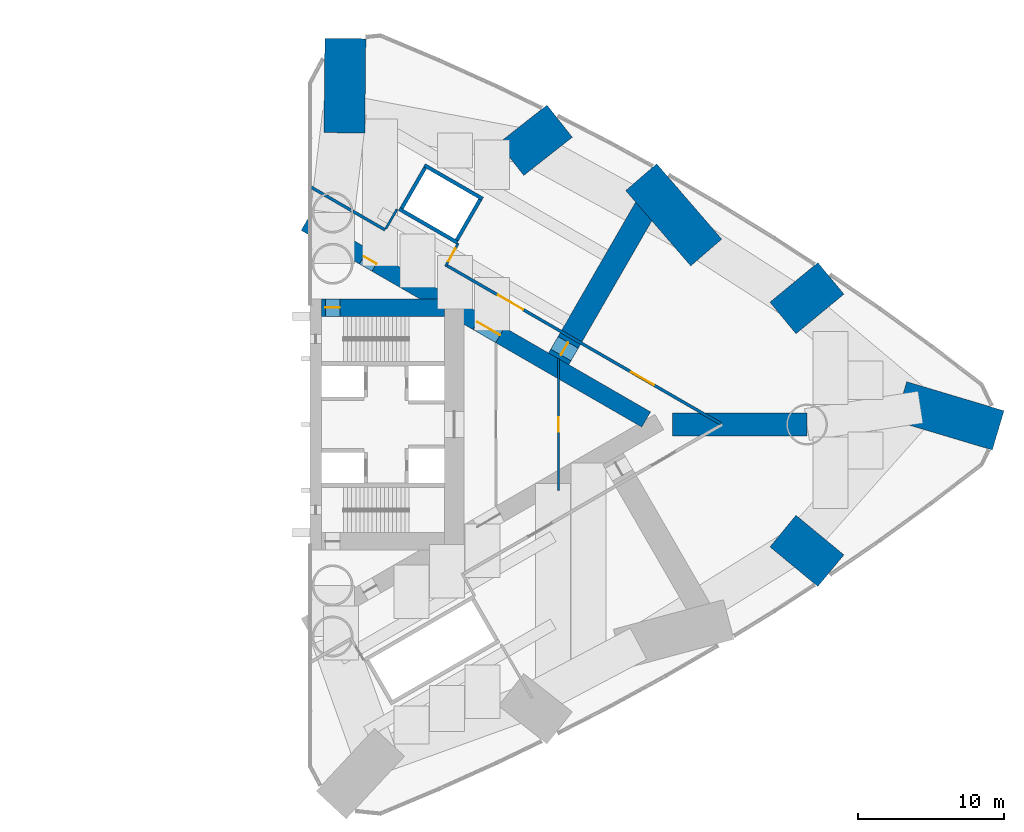
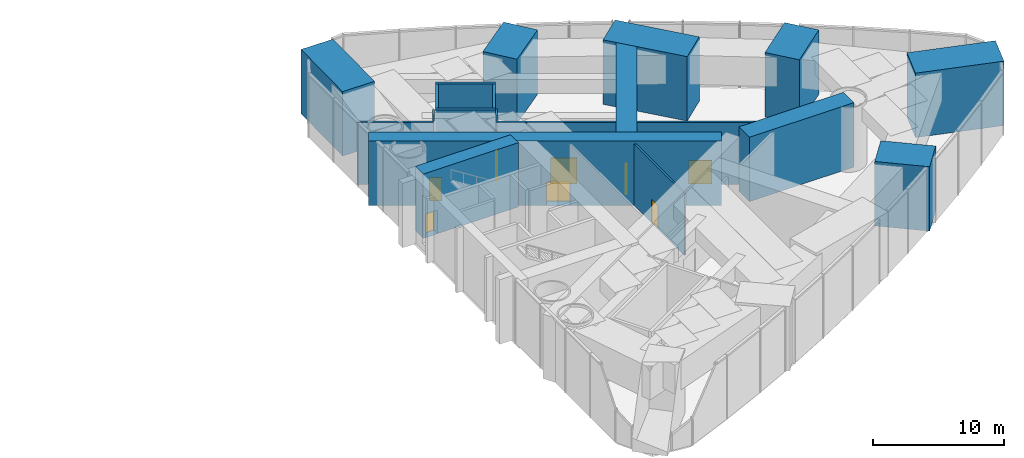
# One storey, part 16 of 18: 19 walls, 8 doors, 8 openings.
"""IFC4 building model written with IfcOpenShell, lengths in metres."""

from ifc_helpers import new_model, si_unit, direction, frame, frame_2d, origin, place, context, subcontext, project, spatial, rectangle, extrude, material, layer, layer_set, type_object, element, fill, save


model = new_model("IFC4")

# Units and contexts
model_context = context("Model", 3, precision=1e-05, world=origin(), true_north=direction((0.0, 1.0)))
body_context = subcontext(model_context, "Body", "Model", "MODEL_VIEW")
ifc_project = project(units=[si_unit("LENGTHUNIT", "METRE"), si_unit("AREAUNIT", "SQUARE_METRE"), si_unit("VOLUMEUNIT", "CUBIC_METRE"), si_unit("PLANEANGLEUNIT", "RADIAN"), si_unit("MASSUNIT", "GRAM", prefix="KILO")], contexts=[model_context])

# Site, building, storey
site_placement = place(None, origin())
site = spatial("IfcSite", under=ifc_project, at=site_placement, CompositionType="ELEMENT")
building_placement = place(site_placement, origin())
building = spatial("IfcBuilding", under=site, at=building_placement, Name="Lancet Gate Hotel", CompositionType="ELEMENT")
storey_placement = place(building_placement, frame((0.0, 0.0, 81.0)))
storey = spatial("IfcBuildingStorey", under=building, at=storey_placement, Name="L21", CompositionType="ELEMENT", Elevation=81.0)

# Wall, openings, doors
ifc_material_1 = material(Name="Concrete C70/85", Category="concrete")
ifc_layer_1 = layer(ifc_material_1, 1.199951171875)
ifc_layer_set_1 = layer_set([ifc_layer_1], Name="Buttress wall 1200")
wall_type_1 = type_object("IfcWallType", Name="Buttress wall 1200", PredefinedType="SHEAR", material=ifc_layer_set_1)
wall_1_placement = place(storey_placement, frame((27.199951171875, 13.800048828125, 0.0), z_axis=(0.0, 0.0, 1.0), x_axis=(0.866024515034, -0.500001539357, 0.0)))
wall_1 = element("IfcWall", 1, at=wall_1_placement, inside=storey, type_object=wall_type_1, Name="T2 buttress wall N L21", PredefinedType="SHEAR", context=body_context, shape_type="SweptSolid", body=[
    extrude(rectangle(XDim=26.9072265625, YDim=1.199951171875, at=frame_2d((13.45361328125, 0.0))), origin(), (0.0, 0.0, 1.0), 6.0),
])
opening_1_placement = place(wall_1_placement, frame((4.60009765625, 0.0, 0.0)))
opening_1 = element("IfcOpeningElement", 2, at=opening_1_placement, cuts=wall_1, Name="Opening T2-L21-LN", PredefinedType="OPENING", context=body_context, shape_type="SweptSolid", body=[
    extrude(rectangle(XDim=1.0, YDim=2.199951171875, at=frame_2d((0.5, 1.10009765625))), frame((0.0, 0.60986328125, 0.0), z_axis=(0.0, -1.0, 0.0), x_axis=(1.0, 0.0, 0.0)), (0.0, 0.0, 1.0), 1.219970703125),
])
opening_2_placement = place(wall_1_placement, frame((13.567626953125, 0.0, 0.0)))
opening_2 = element("IfcOpeningElement", 3, at=opening_2_placement, cuts=wall_1, Name="Opening T2-L21-LHN", PredefinedType="OPENING", context=body_context, shape_type="SweptSolid", body=[
    extrude(rectangle(XDim=1.800048828125, YDim=2.199951171875, at=frame_2d((0.89990234375, 1.10009765625))), frame((0.0, 0.60986328125, 0.0), z_axis=(0.0, -1.0, 0.0), x_axis=(1.0, 0.0, 0.0)), (0.0, 0.0, 1.0), 1.219970703125),
])
ifc_material_2 = material(Name="Timber door set", Category="wood")
door_type_1 = type_object("IfcDoorType", Name="Lobby double door 1800", OperationType="DOUBLE_DOOR_SINGLE_SWING", PredefinedType="DOOR", material=ifc_material_2)
door_1_placement = place(opening_2_placement, origin())
door_1 = element("IfcDoor", 4, at=door_1_placement, inside=storey, type_object=door_type_1, Name="T2-L21-LHN", OperationType="DOUBLE_DOOR_SINGLE_SWING", OverallHeight=2.199951171875, OverallWidth=1.800048828125, PredefinedType="DOOR", context=body_context, shape_type="SweptSolid", body=[
    extrude(rectangle(XDim=1.800048828125, YDim=2.199951171875, at=frame_2d((0.89990234375, 1.10009765625))), frame((0.0, 0.02490234375, 0.0), z_axis=(0.0, -1.0, 0.0), x_axis=(1.0, 0.0, 0.0)), (0.0, 0.0, 1.0), 0.050048828125),
])
fill(opening_2, door_1)
ifc_material_3 = material(Name="Timber door set", Category="wood")
door_type_2 = type_object("IfcDoorType", Name="Stair lobby door 1000", OperationType="SINGLE_SWING_LEFT", PredefinedType="DOOR", material=ifc_material_3)
door_2_placement = place(opening_1_placement, origin())
door_2 = element("IfcDoor", 5, at=door_2_placement, inside=storey, type_object=door_type_2, Name="T2-L21-LN", OperationType="SINGLE_SWING_LEFT", OverallHeight=2.199951171875, OverallWidth=1.0, PredefinedType="DOOR", context=body_context, shape_type="SweptSolid", body=[
    extrude(rectangle(XDim=1.0, YDim=2.199951171875, at=frame_2d((0.5, 1.10009765625))), frame((0.0, 0.02490234375, 0.0), z_axis=(0.0, -1.0, 0.0), x_axis=(1.0, 0.0, 0.0)), (0.0, 0.0, 1.0), 0.050048828125),
])
fill(opening_1, door_2)

# Wall, opening, door
ifc_material_4 = material(Name="Concrete C70/85", Category="concrete")
ifc_layer_2 = layer(ifc_material_4, 1.199951171875)
ifc_layer_set_2 = layer_set([ifc_layer_2], Name="Core wall 1200")
wall_type_2 = type_object("IfcWallType", Name="Core wall 1200", PredefinedType="SHEAR", material=ifc_layer_set_2)
wall_2_placement = place(storey_placement, frame((28.300048828125, 8.0, 0.0), z_axis=(0.0, 0.0, 1.0), x_axis=(1.0, 0.0, 0.0)))
wall_2 = element("IfcWall", 6, at=wall_2_placement, inside=storey, type_object=wall_type_2, Name="T2 core wall side-N L21", PredefinedType="SHEAR", context=body_context, shape_type="SweptSolid", body=[
    extrude(rectangle(XDim=8.39990234375, YDim=1.199951171875, at=frame_2d((4.199951171875, 0.0))), origin(), (0.0, 0.0, 1.0), 6.0),
])
opening_3_placement = place(wall_2_placement, frame((0.25, 0.0, 0.0)))
opening_3 = element("IfcOpeningElement", 7, at=opening_3_placement, cuts=wall_2, Name="Opening T2-L21-ST2", PredefinedType="OPENING", context=body_context, shape_type="SweptSolid", body=[
    extrude(rectangle(XDim=1.0, YDim=2.199951171875, at=frame_2d((0.5, 1.10009765625))), frame((0.0, 0.60986328125, 0.0), z_axis=(0.0, -1.0, 0.0), x_axis=(1.0, 0.0, 0.0)), (0.0, 0.0, 1.0), 1.219970703125),
])
ifc_material_5 = material(Name="Timber door set", Category="wood")
door_type_3 = type_object("IfcDoorType", Name="Stair door 1000", OperationType="SINGLE_SWING_RIGHT", PredefinedType="DOOR", material=ifc_material_5)
door_3_placement = place(opening_3_placement, origin())
door_3 = element("IfcDoor", 8, at=door_3_placement, inside=storey, type_object=door_type_3, Name="T2-L21-ST2", OperationType="SINGLE_SWING_RIGHT", OverallHeight=2.199951171875, OverallWidth=1.0, PredefinedType="DOOR", context=body_context, shape_type="SweptSolid", body=[
    extrude(rectangle(XDim=1.0, YDim=2.199951171875, at=frame_2d((0.5, 1.10009765625))), frame((0.0, 0.02490234375, 0.0), z_axis=(0.0, -1.0, 0.0), x_axis=(1.0, 0.0, 0.0)), (0.0, 0.0, 1.0), 0.050048828125),
])
fill(opening_3, door_3)

# Wall
ifc_material_6 = material(Name="Gypsum board partition")
ifc_layer_3 = layer(ifc_material_6, 0.199951171875)
ifc_layer_set_3 = layer_set([ifc_layer_3], Name="Corridor wall 200")
wall_type_3 = type_object("IfcWallType", Name="Corridor wall 200", PredefinedType="PARTITIONING", material=ifc_layer_set_3)
wall_3_placement = place(storey_placement, frame((27.572021484375, 16.240966796875, 0.0), z_axis=(0.0, 0.0, 1.0), x_axis=(0.866032814021, -0.499987164874, 0.0)))
element("IfcWall", 9, at=wall_3_placement, inside=storey, type_object=wall_type_3, Name="T2 corridor wall 200 L21", PredefinedType="PARTITIONING", context=body_context, shape_type="SweptSolid", body=[
    extrude(rectangle(XDim=5.854736328125, YDim=0.199951171875, at=frame_2d((2.92724609375, 0.0))), origin(), (0.0, 0.0, 1.0), 5.75),
])

# Wall, openings, doors
wall_4_placement = place(storey_placement, frame((36.833984375, 10.8935546875, 0.0), z_axis=(0.0, 0.0, 1.0), x_axis=(0.866028157229, -0.499995230863, 0.0)))
wall_4 = element("IfcWall", 10, at=wall_4_placement, inside=storey, type_object=wall_type_3, Name="T2 corridor wall 200 L21", PredefinedType="PARTITIONING", context=body_context, shape_type="SweptSolid", body=[
    extrude(rectangle(XDim=21.667236328125, YDim=0.199951171875, at=frame_2d((10.83349609375, 0.0))), origin(), (0.0, 0.0, 1.0), 5.75),
])
opening_4_placement = place(wall_4_placement, frame((14.593994140625, 0.0, 0.0)))
opening_4 = element("IfcOpeningElement", 11, at=opening_4_placement, cuts=wall_4, Name="Opening T2-L21-RA06", PredefinedType="OPENING", context=body_context, shape_type="SweptSolid", body=[
    extrude(rectangle(XDim=1.800048828125, YDim=2.199951171875, at=frame_2d((0.89990234375, 1.10009765625))), frame((0.0, 0.10986328125, 0.0), z_axis=(0.0, -1.0, 0.0), x_axis=(1.0, 0.0, 0.0)), (0.0, 0.0, 1.0), 0.219970703125),
])
opening_5_placement = place(wall_4_placement, frame((4.07275390625, 0.0, 0.0)))
opening_5 = element("IfcOpeningElement", 12, at=opening_5_placement, cuts=wall_4, Name="Opening T2-L21-RA07", PredefinedType="OPENING", context=body_context, shape_type="SweptSolid", body=[
    extrude(rectangle(XDim=2.0, YDim=2.39990234375, at=frame_2d((1.0, 1.199951171875))), frame((0.0, 0.10986328125, 0.0), z_axis=(0.0, -1.0, 0.0), x_axis=(1.0, 0.0, 0.0)), (0.0, 0.0, 1.0), 0.219970703125),
])
ifc_material_7 = material(Name="Timber door set", Category="wood")
door_type_4 = type_object("IfcDoorType", Name="Double door 1800", OperationType="DOUBLE_DOOR_SINGLE_SWING", PredefinedType="DOOR", material=ifc_material_7)
door_4_placement = place(opening_4_placement, origin())
door_4 = element("IfcDoor", 13, at=door_4_placement, inside=storey, type_object=door_type_4, Name="T2-L21-RA06", OperationType="DOUBLE_DOOR_SINGLE_SWING", OverallHeight=2.199951171875, OverallWidth=1.800048828125, PredefinedType="DOOR", context=body_context, shape_type="SweptSolid", body=[
    extrude(rectangle(XDim=1.800048828125, YDim=2.199951171875, at=frame_2d((0.89990234375, 1.10009765625))), frame((0.0, 0.02490234375, 0.0), z_axis=(0.0, -1.0, 0.0), x_axis=(1.0, 0.0, 0.0)), (0.0, 0.0, 1.0), 0.050048828125),
])
fill(opening_4, door_4)
ifc_material_8 = material(Name="Timber door set", Category="wood")
door_type_5 = type_object("IfcDoorType", Name="Plant room double door 2000", OperationType="DOUBLE_DOOR_SINGLE_SWING", PredefinedType="DOOR", material=ifc_material_8)
door_5_placement = place(opening_5_placement, origin())
door_5 = element("IfcDoor", 14, at=door_5_placement, inside=storey, type_object=door_type_5, Name="T2-L21-RA07", OperationType="DOUBLE_DOOR_SINGLE_SWING", OverallHeight=2.39990234375, OverallWidth=2.0, PredefinedType="DOOR", context=body_context, shape_type="SweptSolid", body=[
    extrude(rectangle(XDim=2.0, YDim=2.39990234375, at=frame_2d((1.0, 1.199951171875))), frame((0.0, 0.02490234375, 0.0), z_axis=(0.0, -1.0, 0.0), x_axis=(1.0, 0.0, 0.0)), (0.0, 0.0, 1.0), 0.050048828125),
])
fill(opening_5, door_5)

# Walls
ifc_material_9 = material(Name="Gypsum board partition")
ifc_layer_4 = layer(ifc_material_9, 0.25)
ifc_layer_set_4 = layer_set([ifc_layer_4], Name="Lift shaft partition 250")
wall_type_4 = type_object("IfcWallType", Name="Lift shaft partition 250", PredefinedType="PARTITIONING", material=ifc_layer_set_4)
for number, where, z_axis, x_axis, name in (
    (15, (33.6083984375, 14.747314453125, 0.0), (0.0, 0.0, 1.0), (0.866043305498, -0.49996899204, 0.0), "T2 lift shaft wall EX L21"),
    (16, (35.33349609375, 17.73583984375, 0.0), (0.0, 0.0, 1.0), (0.866043305498, -0.49996899204, 0.0), "T2 lift shaft wall EX L21"),
):
    element("IfcWall", number, at=place(storey_placement, frame(where, z_axis=z_axis, x_axis=x_axis)), inside=storey, type_object=wall_type_4, Name=name, PredefinedType="PARTITIONING", context=body_context, shape_type="SweptSolid", body=[
        extrude(rectangle(XDim=4.600341796875, YDim=0.25, at=frame_2d((2.30029296875, 0.0))), origin(), (0.0, 0.0, 1.0), 5.75),
    ])
for number, where, z_axis, x_axis, name in (
    (17, (33.779296875, 14.79296875, 0.0), (0.0, 0.0, 1.0), (0.499929347863, 0.866066190972, 0.0), "T2 lift shaft wall EX L21"),
    (18, (37.546630859375, 12.617919921875, 0.0), (0.0, 0.0, 1.0), (0.499929347863, 0.866066190972, 0.0), "T2 lift shaft wall EX L21"),
):
    element("IfcWall", number, at=place(storey_placement, frame(where, z_axis=z_axis, x_axis=x_axis)), inside=storey, type_object=wall_type_4, Name=name, PredefinedType="PARTITIONING", context=body_context, shape_type="SweptSolid", body=[
        extrude(rectangle(XDim=3.20068359375, YDim=0.25, at=frame_2d((1.600341796875, 0.0))), origin(), (0.0, 0.0, 1.0), 5.75),
    ])
ifc_material_10 = material(Name="Concrete C80/95", Category="concrete")
ifc_layer_5 = layer(ifc_material_10, 1.60009765625)
ifc_layer_set_5 = layer_set([ifc_layer_5], Name="Outrigger wall 1600")
wall_type_5 = type_object("IfcWallType", Name="Outrigger wall 1600", PredefinedType="SHEAR", material=ifc_layer_set_5)
wall_5_placement = place(storey_placement, frame((52.30224609375, 0.0, 0.0), z_axis=(0.0, 0.0, 1.0), x_axis=(1.0, 0.0, 0.0)))
element("IfcWall", 19, at=wall_5_placement, inside=storey, type_object=wall_type_5, Name="T2 outrigger wall CA L21", PredefinedType="SHEAR", context=body_context, shape_type="SweptSolid", body=[
    extrude(rectangle(XDim=9.19775390625, YDim=1.60009765625, at=frame_2d((4.598876953125, 0.0))), origin(), (0.0, 0.0, 1.0), 6.0),
])

# Wall, opening, door
wall_6_placement = place(storey_placement, frame((44.516845703125, 4.494873046875, 0.0), z_axis=(0.0, 0.0, 1.0), x_axis=(0.500003233568, 0.866023536875, 0.0)))
wall_6 = element("IfcWall", 20, at=wall_6_placement, inside=storey, type_object=wall_type_5, Name="T2 outrigger wall ON2 L21", PredefinedType="SHEAR", context=body_context, shape_type="SweptSolid", body=[
    extrude(rectangle(XDim=13.12158203125, YDim=1.60009765625, at=frame_2d((6.560791015625, 0.0))), origin(), (0.0, 0.0, 1.0), 6.0),
])
opening_6_placement = place(wall_6_placement, frame((0.300048828125, 0.0, 0.0)))
opening_6 = element("IfcOpeningElement", 21, at=opening_6_placement, cuts=wall_6, Name="Opening T2-L21-LNO", PredefinedType="OPENING", context=body_context, shape_type="SweptSolid", body=[
    extrude(rectangle(XDim=1.0, YDim=2.199951171875, at=frame_2d((0.5, 1.10009765625))), frame((0.0, 0.81005859375, 0.0), z_axis=(0.0, -1.0, 0.0), x_axis=(1.0, 0.0, 0.0)), (0.0, 0.0, 1.0), 1.6201171875),
])
ifc_material_11 = material(Name="Timber door set", Category="wood")
door_type_6 = type_object("IfcDoorType", Name="Corridor door 1000", OperationType="SINGLE_SWING_LEFT", PredefinedType="DOOR", material=ifc_material_11)
door_6_placement = place(opening_6_placement, origin())
door_6 = element("IfcDoor", 22, at=door_6_placement, inside=storey, type_object=door_type_6, Name="T2-L21-LNO", OperationType="SINGLE_SWING_LEFT", OverallHeight=2.199951171875, OverallWidth=1.0, PredefinedType="DOOR", context=body_context, shape_type="SweptSolid", body=[
    extrude(rectangle(XDim=1.0, YDim=2.199951171875, at=frame_2d((0.5, 1.10009765625))), frame((0.0, 0.02490234375, 0.0), z_axis=(0.0, -1.0, 0.0), x_axis=(1.0, 0.0, 0.0)), (0.0, 0.0, 1.0), 0.050048828125),
])
fill(opening_6, door_6)

# Walls
ifc_material_12 = material(Name="Concrete C80/95", Category="concrete")
ifc_layer_6 = layer(ifc_material_12, 2.800048828125)
ifc_layer_set_6 = layer_set([ifc_layer_6], Name="Radial transfer wall 2800")
wall_type_6 = type_object("IfcWallType", Name="Radial transfer wall 2800", PredefinedType="SHEAR", material=ifc_layer_set_6)
wall_7_placement = place(storey_placement, frame((74.58056640625, -0.40087890625, 0.0), z_axis=(0.0, 0.0, 1.0), x_axis=(-0.958128639998, 0.286338102974, 0.0)))
element("IfcWall", 23, at=wall_7_placement, inside=storey, type_object=wall_type_6, Name="T2 radial transfer wall CA L21", PredefinedType="SHEAR", context=body_context, shape_type="SweptSolid", body=[
    extrude(rectangle(XDim=6.94384765625, YDim=2.800048828125, at=frame_2d((3.471923828125, 0.0))), origin(), (0.0, 0.0, 1.0), 6.0),
])
wall_8_placement = place(storey_placement, frame((29.926025390625, 26.40234375, 0.0), z_axis=(0.0, 0.0, 1.0), x_axis=(-0.010715834263, -0.9999425838, 0.0)))
element("IfcWall", 24, at=wall_8_placement, inside=storey, type_object=wall_type_6, Name="T2 radial transfer wall CN L21", PredefinedType="SHEAR", context=body_context, shape_type="SweptSolid", body=[
    extrude(rectangle(XDim=6.44775390625, YDim=2.800048828125, at=frame_2d((3.223876953125, 0.0))), origin(), (0.0, 0.0, 1.0), 6.0),
])
wall_9_placement = place(storey_placement, frame((63.138916015625, 9.996337890625, 0.0), z_axis=(0.0, 0.0, 1.0), x_axis=(-0.771080676244, -0.636737458238, 0.0)))
element("IfcWall", 25, at=wall_9_placement, inside=storey, type_object=wall_type_6, Name="T2 radial transfer wall ON1 L21", PredefinedType="SHEAR", context=body_context, shape_type="SweptSolid", body=[
    extrude(rectangle(XDim=4.250732421875, YDim=2.800048828125, at=frame_2d((2.12548828125, 0.0))), origin(), (0.0, 0.0, 1.0), 6.0),
])
wall_10_placement = place(storey_placement, frame((50.162353515625, 16.91748046875, 0.0), z_axis=(0.0, 0.0, 1.0), x_axis=(0.653849594578, -0.756624548683, 0.0)))
element("IfcWall", 26, at=wall_10_placement, inside=storey, type_object=wall_type_6, Name="T2 radial transfer wall ON2 L21", PredefinedType="SHEAR", context=body_context, shape_type="SweptSolid", body=[
    extrude(rectangle(XDim=6.8056640625, YDim=2.800048828125, at=frame_2d((3.40283203125, 0.0))), origin(), (0.0, 0.0, 1.0), 6.0),
])
wall_11_placement = place(storey_placement, frame((44.584228515625, 20.752197265625, 0.0), z_axis=(0.0, 0.0, 1.0), x_axis=(-0.785936955348, -0.618306640931, 0.0)))
element("IfcWall", 27, at=wall_11_placement, inside=storey, type_object=wall_type_6, Name="T2 radial transfer wall ON3 L21", PredefinedType="SHEAR", context=body_context, shape_type="SweptSolid", body=[
    extrude(rectangle(XDim=4.22216796875, YDim=2.800048828125, at=frame_2d((2.111083984375, 0.0))), origin(), (0.0, 0.0, 1.0), 6.0),
])
wall_12_placement = place(storey_placement, frame((63.138916015625, -9.996337890625, 0.0), z_axis=(0.0, 0.0, 1.0), x_axis=(-0.771080676244, 0.636737458238, 0.0)))
element("IfcWall", 28, at=wall_12_placement, inside=storey, type_object=wall_type_6, Name="T2 radial transfer wall OS3 L21", PredefinedType="SHEAR", context=body_context, shape_type="SweptSolid", body=[
    extrude(rectangle(XDim=4.250732421875, YDim=2.800048828125, at=frame_2d((2.12548828125, 0.0))), origin(), (0.0, 0.0, 1.0), 6.0),
])

# Wall, opening, door
ifc_material_13 = material(Name="Gypsum board partition")
ifc_layer_7 = layer(ifc_material_13, 0.14990234375)
ifc_layer_set_7 = layer_set([ifc_layer_7], Name="Service room wall 150")
wall_type_7 = type_object("IfcWallType", Name="Service room wall 150", PredefinedType="PARTITIONING", material=ifc_layer_set_7)
wall_13_placement = place(storey_placement, frame((36.77099609375, 10.814453125, 0.0), z_axis=(0.0, 0.0, 1.0), x_axis=(0.485585508183, 0.874189175317, 0.0)))
wall_13 = element("IfcWall", 29, at=wall_13_placement, inside=storey, type_object=wall_type_7, Name="T2 service room wall 150 L21", PredefinedType="PARTITIONING", context=body_context, shape_type="SweptSolid", body=[
    extrude(rectangle(XDim=1.804931640625, YDim=0.14990234375, at=frame_2d((0.90234375, 0.0))), origin(), (0.0, 0.0, 1.0), 5.75),
])
opening_7_placement = place(wall_13_placement, frame((0.402587890625, 0.0, 0.0)))
opening_7 = element("IfcOpeningElement", 30, at=opening_7_placement, cuts=wall_13, Name="Opening T2-L21-RA08", PredefinedType="OPENING", context=body_context, shape_type="SweptSolid", body=[
    extrude(rectangle(XDim=1.0, YDim=2.199951171875, at=frame_2d((0.5, 1.10009765625))), frame((0.0, 0.0849609375, 0.0), z_axis=(0.0, -1.0, 0.0), x_axis=(1.0, 0.0, 0.0)), (0.0, 0.0, 1.0), 0.169921875),
])
ifc_material_14 = material(Name="Timber door set", Category="wood")
door_type_7 = type_object("IfcDoorType", Name="Service door 1000", OperationType="SINGLE_SWING_LEFT", PredefinedType="DOOR", material=ifc_material_14)
door_7_placement = place(opening_7_placement, origin())
door_7 = element("IfcDoor", 31, at=door_7_placement, inside=storey, type_object=door_type_7, Name="T2-L21-RA08", OperationType="SINGLE_SWING_LEFT", OverallHeight=2.199951171875, OverallWidth=1.0, PredefinedType="DOOR", context=body_context, shape_type="SweptSolid", body=[
    extrude(rectangle(XDim=1.0, YDim=2.199951171875, at=frame_2d((0.5, 1.10009765625))), frame((0.0, 0.02490234375, 0.0), z_axis=(0.0, -1.0, 0.0), x_axis=(1.0, 0.0, 0.0)), (0.0, 0.0, 1.0), 0.050048828125),
])
fill(opening_7, door_7)

# Wall
wall_14_placement = place(storey_placement, frame((32.6923828125, 13.400390625, 0.0), z_axis=(0.0, 0.0, 1.0), x_axis=(0.499985008713, 0.866034058835, 0.0)))
element("IfcWall", 32, at=wall_14_placement, inside=storey, type_object=wall_type_7, Name="T2 service room wall 150 L21", PredefinedType="PARTITIONING", context=body_context, shape_type="SweptSolid", body=[
    extrude(rectangle(XDim=1.529296875, YDim=0.14990234375, at=frame_2d((0.7646484375, 0.0))), origin(), (0.0, 0.0, 1.0), 5.75),
])

# Wall, opening, door
wall_15_placement = place(storey_placement, frame((44.5, -4.504638671875, 0.0), z_axis=(0.0, 0.0, 1.0), x_axis=(0.0, 1.0, 0.0)))
wall_15 = element("IfcWall", 33, at=wall_15_placement, inside=storey, type_object=wall_type_7, Name="T2 service room wall 150 L21", PredefinedType="PARTITIONING", context=body_context, shape_type="SweptSolid", body=[
    extrude(rectangle(XDim=9.00927734375, YDim=0.14990234375, at=frame_2d((4.504638671875, 0.0))), origin(), (0.0, 0.0, 1.0), 5.75),
])
opening_8_placement = place(wall_15_placement, frame((4.004638671875, 0.0, 0.0)))
opening_8 = element("IfcOpeningElement", 34, at=opening_8_placement, cuts=wall_15, Name="Opening T2-L21-SV", PredefinedType="OPENING", context=body_context, shape_type="SweptSolid", body=[
    extrude(rectangle(XDim=1.0, YDim=2.199951171875, at=frame_2d((0.5, 1.10009765625))), frame((0.0, 0.0849609375, 0.0), z_axis=(0.0, -1.0, 0.0), x_axis=(1.0, 0.0, 0.0)), (0.0, 0.0, 1.0), 0.169921875),
])
door_8_placement = place(opening_8_placement, origin())
door_8 = element("IfcDoor", 35, at=door_8_placement, inside=storey, type_object=door_type_7, Name="T2-L21-SV", OperationType="SINGLE_SWING_LEFT", OverallHeight=2.199951171875, OverallWidth=1.0, PredefinedType="DOOR", context=body_context, shape_type="SweptSolid", body=[
    extrude(rectangle(XDim=1.0, YDim=2.199951171875, at=frame_2d((0.5, 1.10009765625))), frame((0.0, 0.02490234375, 0.0), z_axis=(0.0, -1.0, 0.0), x_axis=(1.0, 0.0, 0.0)), (0.0, 0.0, 1.0), 0.050048828125),
])
fill(opening_8, door_8)

save(model, "model.ifc")
